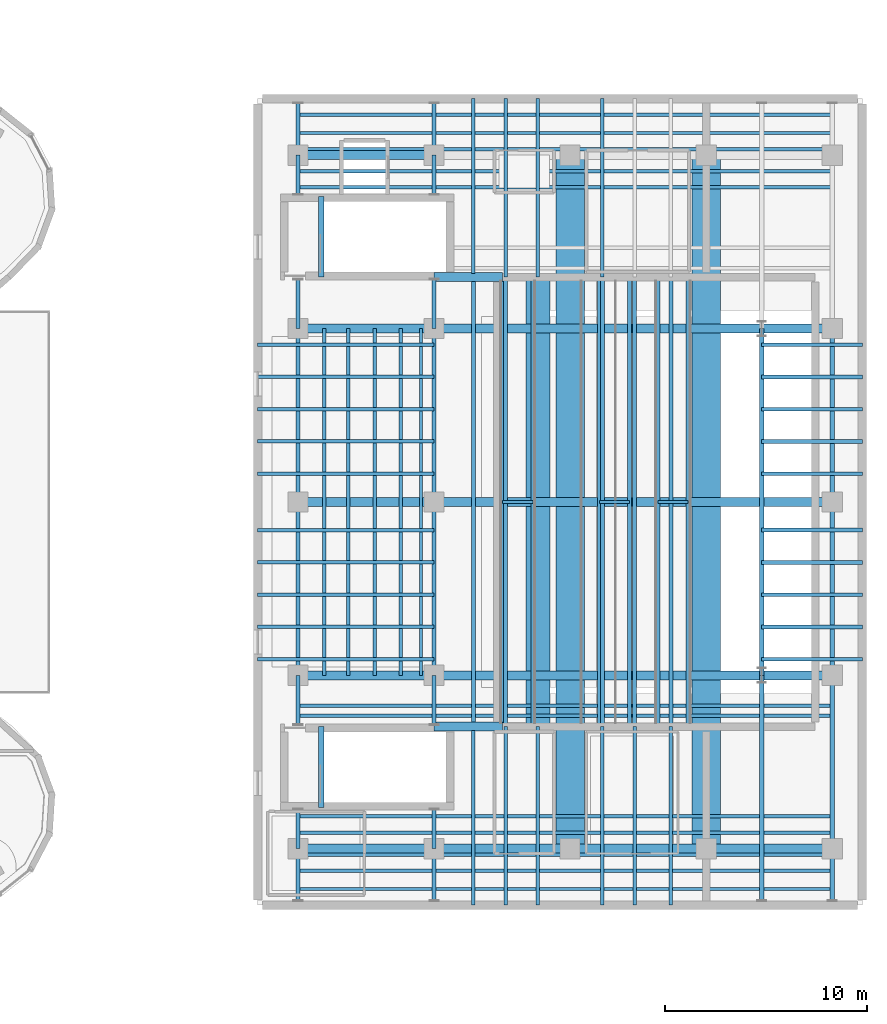
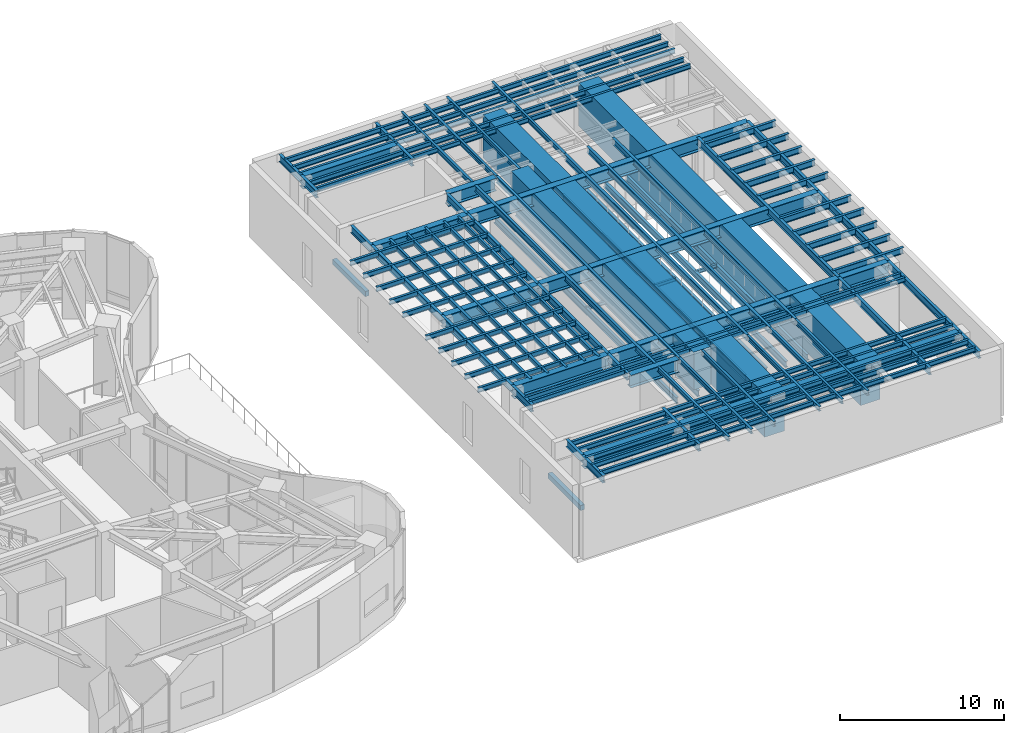
# One storey, part 8 of 19: 99 beams.
"""IFC4 building model written with IfcOpenShell, lengths in metres."""

from ifc_helpers import new_model, si_unit, direction, frame, origin, origin_2d, place, context, subcontext, project, spatial, rectangle, i_section, extrude, material, material_profile, profile_set, type_object, element, save


model = new_model("IFC4")

# Units and contexts
model_context = context("Model", 3, precision=1e-05, world=origin(), true_north=direction((0.0, 1.0)))
body_context = subcontext(model_context, "Body", "Model", "MODEL_VIEW")
ifc_project = project(units=[si_unit("LENGTHUNIT", "METRE"), si_unit("AREAUNIT", "SQUARE_METRE"), si_unit("VOLUMEUNIT", "CUBIC_METRE"), si_unit("PLANEANGLEUNIT", "RADIAN"), si_unit("MASSUNIT", "GRAM", prefix="KILO")], contexts=[model_context])

# Site, building, storey
site_placement = place(None, origin())
site = spatial("IfcSite", under=ifc_project, at=site_placement, CompositionType="ELEMENT")
building_placement = place(site_placement, origin())
building = spatial("IfcBuilding", under=site, at=building_placement, Name="Korentha Bioscience Tower", CompositionType="ELEMENT")
storey_placement = place(building_placement, frame((0.0, 0.0, 20.39990234375)))
storey = spatial("IfcBuildingStorey", under=building, at=storey_placement, Name="L04", CompositionType="ELEMENT", Elevation=20.39990234375)

# Beams
ifc_material_1 = material(Name="Concrete C50", Category="concrete")
ifc_material_profile_1 = material_profile(ifc_material_1, rectangle(XDim=0.280029296875, YDim=0.3798828125, at=origin_2d()), Name="Concrete C50")
ifc_profile_set_1 = profile_set([ifc_material_profile_1], Name="Concrete C50 (ST-HB380)")
beam_type_1 = type_object("IfcBeamType", Name="Concrete Stair Header Beam RC 280x380", PredefinedType="BEAM", material=ifc_profile_set_1)
for number, where, z_axis, x_axis, name in (
    (1, (67.64990234375, 11.85009765625, -0.18994140625), (0.0, 1.0, 0.0), (-1.0, 0.0, 0.0), "L04 ST-T1 Concrete Stair Header Beam"),
    (2, (67.64990234375, 38.14990234375, -0.18994140625), (0.0, 1.0, 0.0), (-1.0, 0.0, 0.0), "L04 ST-T2 Concrete Stair Header Beam"),
):
    element("IfcBeam", number, at=place(storey_placement, frame(where, z_axis=z_axis, x_axis=x_axis)), inside=storey, type_object=beam_type_1, Name=name, PredefinedType="BEAM", context=body_context, shape_type="SweptSolid", body=[
        extrude(rectangle(XDim=0.280029296875, YDim=0.3798828125, at=origin_2d()), origin(), (0.0, 0.0, 1.0), 4.0),
    ])
ifc_material_2 = material(Name="Steel S355", Category="steel")
ifc_material_profile_2 = material_profile(ifc_material_2, i_section(OverallWidth=0.14599609375, OverallDepth=0.258056640625, WebThickness=0.006103515625, FlangeThickness=0.009033203125, at=origin_2d()), Name="Steel S355")
ifc_profile_set_2 = profile_set([ifc_material_profile_2], Name="Steel S355 (GT-250)")
beam_type_2 = type_object("IfcBeamType", Name="Gallery Edge Trimmer Beam W250x32.7", PredefinedType="BEAM", material=ifc_profile_set_2)
for number, where, z_axis, x_axis, name in (
    (3, (76.64990234375, 27.0, 2.31103515625), (1.0, 0.0, 0.0), (0.0, 1.0, 0.0), "L04 Catwalk Cross Trimmer 1"),
    (4, (81.449951171875, 27.0, 2.31103515625), (1.0, 0.0, 0.0), (0.0, 1.0, 0.0), "L04 Catwalk Cross Trimmer 2"),
    (5, (84.35009765625, 27.0, 2.31103515625), (1.0, 0.0, 0.0), (0.0, 1.0, 0.0), "L04 Catwalk Cross Trimmer 3"),
):
    element("IfcBeam", number, at=place(storey_placement, frame(where, z_axis=z_axis, x_axis=x_axis)), inside=storey, type_object=beam_type_2, Name=name, PredefinedType="BEAM", context=body_context, shape_type="SweptSolid", body=[
        extrude(i_section(OverallWidth=0.14599609375, OverallDepth=0.258056640625, WebThickness=0.006103515625, FlangeThickness=0.009033203125, at=origin_2d()), origin(), (0.0, 0.0, 1.0), 1.5),
    ])
ifc_material_profile_3 = material_profile(ifc_material_2, i_section(OverallWidth=0.208984375, OverallDepth=0.532958984375, WebThickness=0.01025390625, FlangeThickness=0.015625, at=origin_2d()), Name="Steel S355")
ifc_profile_set_3 = profile_set([ifc_material_profile_3], Name="Steel S355 (SB-530)")
beam_type_3 = type_object("IfcBeamType", Name="Perimeter Ring Spandrel Girder W530x92", PredefinedType="SPANDREL", material=ifc_profile_set_3)
beam_1_placement = place(storey_placement, frame((66.5, 7.2099609375, 5.133544921875), z_axis=(0.0, 1.0, 0.0), x_axis=(-1.0, 0.0, 0.0)))
element("IfcBeam", 6, at=beam_1_placement, inside=storey, type_object=beam_type_3, Name="L04 Theatre Collector Girder 1-1", PredefinedType="SPANDREL", context=body_context, shape_type="SweptSolid", body=[
    extrude(i_section(OverallWidth=0.208984375, OverallDepth=0.532958984375, WebThickness=0.01025390625, FlangeThickness=0.015625, at=origin_2d()), origin(), (0.0, 0.0, 1.0), 2.590087890625),
])
beam_2_placement = place(storey_placement, frame((66.5, 9.800048828125, 5.133544921875), z_axis=(0.0, 1.0, 0.0), x_axis=(-1.0, 0.0, 0.0)))
element("IfcBeam", 7, at=beam_2_placement, inside=storey, type_object=beam_type_3, Name="L04 Theatre Collector Girder 1-2", PredefinedType="SPANDREL", context=body_context, shape_type="SweptSolid", body=[
    extrude(i_section(OverallWidth=0.208984375, OverallDepth=0.532958984375, WebThickness=0.01025390625, FlangeThickness=0.015625, at=origin_2d()), origin(), (0.0, 0.0, 1.0), 1.949951171875),
])
beam_3_placement = place(storey_placement, frame((66.5, 15.949951171875, 5.133544921875), z_axis=(0.0, 1.0, 0.0), x_axis=(-1.0, 0.0, 0.0)))
element("IfcBeam", 8, at=beam_3_placement, inside=storey, type_object=beam_type_3, Name="L04 Theatre Collector Girder 1-3", PredefinedType="SPANDREL", context=body_context, shape_type="SweptSolid", body=[
    extrude(i_section(OverallWidth=0.208984375, OverallDepth=0.532958984375, WebThickness=0.01025390625, FlangeThickness=0.015625, at=origin_2d()), origin(), (0.0, 0.0, 1.0), 2.449951171875),
])
for number, where, z_axis, x_axis, name in (
    (9, (66.5, 18.39990234375, 5.133544921875), (0.0, 1.0, 0.0), (-1.0, 0.0, 0.0), "L04 Theatre Collector Girder 1-4"),
    (10, (66.5, 27.0, 5.133544921875), (0.0, 1.0, 0.0), (-1.0, 0.0, 0.0), "L04 Theatre Collector Girder 1-5"),
):
    element("IfcBeam", number, at=place(storey_placement, frame(where, z_axis=z_axis, x_axis=x_axis)), inside=storey, type_object=beam_type_3, Name=name, PredefinedType="SPANDREL", context=body_context, shape_type="SweptSolid", body=[
        extrude(i_section(OverallWidth=0.208984375, OverallDepth=0.532958984375, WebThickness=0.01025390625, FlangeThickness=0.015625, at=origin_2d()), origin(), (0.0, 0.0, 1.0), 8.60009765625),
    ])
beam_4_placement = place(storey_placement, frame((66.5, 35.60009765625, 5.133544921875), z_axis=(0.0, 1.0, 0.0), x_axis=(-1.0, 0.0, 0.0)))
element("IfcBeam", 11, at=beam_4_placement, inside=storey, type_object=beam_type_3, Name="L04 Theatre Collector Girder 1-6", PredefinedType="SPANDREL", context=body_context, shape_type="SweptSolid", body=[
    extrude(i_section(OverallWidth=0.208984375, OverallDepth=0.532958984375, WebThickness=0.01025390625, FlangeThickness=0.015625, at=origin_2d()), origin(), (0.0, 0.0, 1.0), 2.449951171875),
])
beam_5_placement = place(storey_placement, frame((66.5, 42.25, 5.133544921875), z_axis=(0.0, 1.0, 0.0), x_axis=(-1.0, 0.0, 0.0)))
element("IfcBeam", 12, at=beam_5_placement, inside=storey, type_object=beam_type_3, Name="L04 Theatre Collector Girder 1-7", PredefinedType="SPANDREL", context=body_context, shape_type="SweptSolid", body=[
    extrude(i_section(OverallWidth=0.208984375, OverallDepth=0.532958984375, WebThickness=0.01025390625, FlangeThickness=0.015625, at=origin_2d()), origin(), (0.0, 0.0, 1.0), 1.949951171875),
])
for number, where, z_axis, x_axis, name in (
    (13, (66.5, 44.199951171875, 5.133544921875), (0.0, 1.0, 0.0), (-1.0, 0.0, 0.0), "L04 Theatre Collector Girder 1-8"),
    (14, (73.25, 7.2099609375, 5.133544921875), (0.0, 1.0, 0.0), (-1.0, 0.0, 0.0), "L04 Theatre Collector Girder 2-1"),
):
    element("IfcBeam", number, at=place(storey_placement, frame(where, z_axis=z_axis, x_axis=x_axis)), inside=storey, type_object=beam_type_3, Name=name, PredefinedType="SPANDREL", context=body_context, shape_type="SweptSolid", body=[
        extrude(i_section(OverallWidth=0.208984375, OverallDepth=0.532958984375, WebThickness=0.01025390625, FlangeThickness=0.015625, at=origin_2d()), origin(), (0.0, 0.0, 1.0), 2.590087890625),
    ])
beam_6_placement = place(storey_placement, frame((73.25, 9.800048828125, 5.133544921875), z_axis=(0.0, 1.0, 0.0), x_axis=(-1.0, 0.0, 0.0)))
element("IfcBeam", 15, at=beam_6_placement, inside=storey, type_object=beam_type_3, Name="L04 Theatre Collector Girder 2-2", PredefinedType="SPANDREL", context=body_context, shape_type="SweptSolid", body=[
    extrude(i_section(OverallWidth=0.208984375, OverallDepth=0.532958984375, WebThickness=0.01025390625, FlangeThickness=0.015625, at=origin_2d()), origin(), (0.0, 0.0, 1.0), 1.949951171875),
])
beam_7_placement = place(storey_placement, frame((73.25, 15.949951171875, 5.133544921875), z_axis=(0.0, 1.0, 0.0), x_axis=(-1.0, 0.0, 0.0)))
element("IfcBeam", 16, at=beam_7_placement, inside=storey, type_object=beam_type_3, Name="L04 Theatre Collector Girder 2-3", PredefinedType="SPANDREL", context=body_context, shape_type="SweptSolid", body=[
    extrude(i_section(OverallWidth=0.208984375, OverallDepth=0.532958984375, WebThickness=0.01025390625, FlangeThickness=0.015625, at=origin_2d()), origin(), (0.0, 0.0, 1.0), 2.449951171875),
])
for number, where, z_axis, x_axis, name in (
    (17, (73.25, 18.39990234375, 5.133544921875), (0.0, 1.0, 0.0), (-1.0, 0.0, 0.0), "L04 Theatre Collector Girder 2-4"),
    (18, (73.25, 27.0, 5.133544921875), (0.0, 1.0, 0.0), (-1.0, 0.0, 0.0), "L04 Theatre Collector Girder 2-5"),
):
    element("IfcBeam", number, at=place(storey_placement, frame(where, z_axis=z_axis, x_axis=x_axis)), inside=storey, type_object=beam_type_3, Name=name, PredefinedType="SPANDREL", context=body_context, shape_type="SweptSolid", body=[
        extrude(i_section(OverallWidth=0.208984375, OverallDepth=0.532958984375, WebThickness=0.01025390625, FlangeThickness=0.015625, at=origin_2d()), origin(), (0.0, 0.0, 1.0), 8.60009765625),
    ])
beam_8_placement = place(storey_placement, frame((73.25, 35.60009765625, 5.133544921875), z_axis=(0.0, 1.0, 0.0), x_axis=(-1.0, 0.0, 0.0)))
element("IfcBeam", 19, at=beam_8_placement, inside=storey, type_object=beam_type_3, Name="L04 Theatre Collector Girder 2-6", PredefinedType="SPANDREL", context=body_context, shape_type="SweptSolid", body=[
    extrude(i_section(OverallWidth=0.208984375, OverallDepth=0.532958984375, WebThickness=0.01025390625, FlangeThickness=0.015625, at=origin_2d()), origin(), (0.0, 0.0, 1.0), 2.449951171875),
])
beam_9_placement = place(storey_placement, frame((73.25, 42.25, 5.133544921875), z_axis=(0.0, 1.0, 0.0), x_axis=(-1.0, 0.0, 0.0)))
element("IfcBeam", 20, at=beam_9_placement, inside=storey, type_object=beam_type_3, Name="L04 Theatre Collector Girder 2-7", PredefinedType="SPANDREL", context=body_context, shape_type="SweptSolid", body=[
    extrude(i_section(OverallWidth=0.208984375, OverallDepth=0.532958984375, WebThickness=0.01025390625, FlangeThickness=0.015625, at=origin_2d()), origin(), (0.0, 0.0, 1.0), 1.949951171875),
])
beam_10_placement = place(storey_placement, frame((73.25, 44.199951171875, 5.133544921875), z_axis=(0.0, 1.0, 0.0), x_axis=(-1.0, 0.0, 0.0)))
element("IfcBeam", 21, at=beam_10_placement, inside=storey, type_object=beam_type_3, Name="L04 Theatre Collector Girder 2-8", PredefinedType="SPANDREL", context=body_context, shape_type="SweptSolid", body=[
    extrude(i_section(OverallWidth=0.208984375, OverallDepth=0.532958984375, WebThickness=0.01025390625, FlangeThickness=0.015625, at=origin_2d()), origin(), (0.0, 0.0, 1.0), 2.590087890625),
])
beam_11_placement = place(storey_placement, frame((89.5, 7.2099609375, 5.133544921875), z_axis=(0.0, 1.0, 0.0), x_axis=(-1.0, 0.0, 0.0)))
element("IfcBeam", 22, at=beam_11_placement, inside=storey, type_object=beam_type_3, Name="L04 Theatre Collector Girder 3-1", PredefinedType="SPANDREL", context=body_context, shape_type="SweptSolid", body=[
    extrude(i_section(OverallWidth=0.208984375, OverallDepth=0.532958984375, WebThickness=0.01025390625, FlangeThickness=0.015625, at=origin_2d()), origin(), (0.0, 0.0, 1.0), 11.18994140625),
])
beam_12_placement = place(storey_placement, frame((89.5, 18.39990234375, 5.133544921875), z_axis=(0.0, 1.0, 0.0), x_axis=(-1.0, 0.0, 0.0)))
element("IfcBeam", 23, at=beam_12_placement, inside=storey, type_object=beam_type_3, Name="L04 Theatre Collector Girder 3-2", PredefinedType="SPANDREL", context=body_context, shape_type="SweptSolid", body=[
    extrude(i_section(OverallWidth=0.208984375, OverallDepth=0.532958984375, WebThickness=0.01025390625, FlangeThickness=0.015625, at=origin_2d()), origin(), (0.0, 0.0, 1.0), 17.2001953125),
])
beam_13_placement = place(storey_placement, frame((93.0, 7.2099609375, 5.133544921875), z_axis=(0.0, 1.0, 0.0), x_axis=(-1.0, 0.0, 0.0)))
element("IfcBeam", 24, at=beam_13_placement, inside=storey, type_object=beam_type_3, Name="L04 Theatre Collector Girder 4-1", PredefinedType="SPANDREL", context=body_context, shape_type="SweptSolid", body=[
    extrude(i_section(OverallWidth=0.208984375, OverallDepth=0.532958984375, WebThickness=0.01025390625, FlangeThickness=0.015625, at=origin_2d()), origin(), (0.0, 0.0, 1.0), 2.590087890625),
])
beam_14_placement = place(storey_placement, frame((93.0, 9.800048828125, 5.133544921875), z_axis=(0.0, 1.0, 0.0), x_axis=(-1.0, 0.0, 0.0)))
element("IfcBeam", 25, at=beam_14_placement, inside=storey, type_object=beam_type_3, Name="L04 Theatre Collector Girder 4-2", PredefinedType="SPANDREL", context=body_context, shape_type="SweptSolid", body=[
    extrude(i_section(OverallWidth=0.208984375, OverallDepth=0.532958984375, WebThickness=0.01025390625, FlangeThickness=0.015625, at=origin_2d()), origin(), (0.0, 0.0, 1.0), 8.599853515625),
])
for number, where, z_axis, x_axis, name in (
    (26, (93.0, 18.39990234375, 5.133544921875), (0.0, 1.0, 0.0), (-1.0, 0.0, 0.0), "L04 Theatre Collector Girder 4-3"),
    (27, (93.0, 27.0, 5.133544921875), (0.0, 1.0, 0.0), (-1.0, 0.0, 0.0), "L04 Theatre Collector Girder 4-4"),
):
    element("IfcBeam", number, at=place(storey_placement, frame(where, z_axis=z_axis, x_axis=x_axis)), inside=storey, type_object=beam_type_3, Name=name, PredefinedType="SPANDREL", context=body_context, shape_type="SweptSolid", body=[
        extrude(i_section(OverallWidth=0.208984375, OverallDepth=0.532958984375, WebThickness=0.01025390625, FlangeThickness=0.015625, at=origin_2d()), origin(), (0.0, 0.0, 1.0), 8.60009765625),
    ])
ifc_material_3 = material(Name="Concrete C80", Category="concrete")
ifc_material_profile_4 = material_profile(ifc_material_3, rectangle(XDim=1.39990234375, YDim=3.199951171875, at=origin_2d()), Name="Concrete C80")
ifc_profile_set_4 = profile_set([ifc_material_profile_4], Name="Concrete C80 (TG-01)")
beam_type_4 = type_object("IfcBeamType", Name="Plaza Arch Transfer Girder 1400x3200", PredefinedType="USERDEFINED", material=ifc_profile_set_4)
for number, where, z_axis, x_axis, name in (
    (28, (80.0, 9.800048828125, 3.800048828125), (0.0, 1.0, 0.0), (-1.0, 0.0, 0.0), "L04 Auditorium Vault Transfer Girder 1"),
    (29, (86.75, 9.800048828125, 3.800048828125), (0.0, 1.0, 0.0), (-1.0, 0.0, 0.0), "L04 Auditorium Vault Transfer Girder 2"),
):
    element("IfcBeam", number, at=place(storey_placement, frame(where, z_axis=z_axis, x_axis=x_axis)), inside=storey, type_object=beam_type_4, Name=name, ObjectType="TRANSFER_GIRDER", PredefinedType="USERDEFINED", context=body_context, shape_type="SweptSolid", body=[
        extrude(rectangle(XDim=1.39990234375, YDim=3.199951171875, at=origin_2d()), origin(), (0.0, 0.0, 1.0), 34.39990234375),
    ])
ifc_material_profile_5 = material_profile(ifc_material_2, i_section(OverallWidth=0.18994140625, OverallDepth=0.45703125, WebThickness=0.009033203125, FlangeThickness=0.014404296875, at=origin_2d()), Name="Steel S355")
ifc_profile_set_5 = profile_set([ifc_material_profile_5], Name="Steel S355 (RB-460)")
beam_type_5 = type_object("IfcBeamType", Name="Radial Laboratory Beam W460x74", PredefinedType="BEAM", material=ifc_profile_set_5)
beam_15_placement = place(storey_placement, frame((75.199951171875, 16.0400390625, 5.171630859375), z_axis=(0.0, 1.0, 0.0), x_axis=(-1.0, 0.0, 0.0)))
element("IfcBeam", 30, at=beam_15_placement, inside=storey, type_object=beam_type_5, Name="L04 Auditorium Ceiling Deck Girder 06", PredefinedType="BEAM", context=body_context, shape_type="SweptSolid", body=[
    extrude(i_section(OverallWidth=0.18994140625, OverallDepth=0.45703125, WebThickness=0.009033203125, FlangeThickness=0.014404296875, at=origin_2d()), origin(), (0.0, 0.0, 1.0), 21.919921875),
])
for number, where, z_axis, x_axis, name in (
    (31, (76.800048828125, 15.85009765625, 5.171630859375), (0.0, 1.0, 0.0), (-1.0, 0.0, 0.0), "L04 Auditorium Ceiling Deck Girder 07"),
    (32, (81.60009765625, 15.85009765625, 5.171630859375), (0.0, 1.0, 0.0), (-1.0, 0.0, 0.0), "L04 Auditorium Ceiling Deck Girder 09"),
    (33, (83.199951171875, 15.85009765625, 5.171630859375), (0.0, 1.0, 0.0), (-1.0, 0.0, 0.0), "L04 Auditorium Ceiling Deck Girder 10"),
    (34, (85.0, 15.85009765625, 5.171630859375), (0.0, 1.0, 0.0), (-1.0, 0.0, 0.0), "L04 Auditorium Ceiling Deck Girder 11"),
):
    element("IfcBeam", number, at=place(storey_placement, frame(where, z_axis=z_axis, x_axis=x_axis)), inside=storey, type_object=beam_type_5, Name=name, PredefinedType="BEAM", context=body_context, shape_type="SweptSolid", body=[
        extrude(i_section(OverallWidth=0.18994140625, OverallDepth=0.45703125, WebThickness=0.009033203125, FlangeThickness=0.014404296875, at=origin_2d()), origin(), (0.0, 0.0, 1.0), 22.2998046875),
    ])
for number, where, z_axis, x_axis, name in (
    (35, (89.5, 19.199951171875, 5.171630859375), (1.0, 0.0, 0.0), (0.0, 1.0, 0.0), "L04 Stage Fly-Tower Girder 01"),
    (36, (89.5, 20.800048828125, 5.171630859375), (1.0, 0.0, 0.0), (0.0, 1.0, 0.0), "L04 Stage Fly-Tower Girder 02"),
    (37, (89.5, 22.39990234375, 5.171630859375), (1.0, 0.0, 0.0), (0.0, 1.0, 0.0), "L04 Stage Fly-Tower Girder 03"),
    (38, (89.5, 24.0, 5.171630859375), (1.0, 0.0, 0.0), (0.0, 1.0, 0.0), "L04 Stage Fly-Tower Girder 04"),
    (39, (89.5, 25.60009765625, 5.171630859375), (1.0, 0.0, 0.0), (0.0, 1.0, 0.0), "L04 Stage Fly-Tower Girder 05"),
    (40, (89.5, 28.39990234375, 5.171630859375), (1.0, 0.0, 0.0), (0.0, 1.0, 0.0), "L04 Stage Fly-Tower Girder 06"),
    (41, (89.5, 30.0, 5.171630859375), (1.0, 0.0, 0.0), (0.0, 1.0, 0.0), "L04 Stage Fly-Tower Girder 07"),
    (42, (89.5, 31.60009765625, 5.171630859375), (1.0, 0.0, 0.0), (0.0, 1.0, 0.0), "L04 Stage Fly-Tower Girder 08"),
    (43, (89.5, 33.199951171875, 5.171630859375), (1.0, 0.0, 0.0), (0.0, 1.0, 0.0), "L04 Stage Fly-Tower Girder 09"),
    (44, (89.5, 34.800048828125, 5.171630859375), (1.0, 0.0, 0.0), (0.0, 1.0, 0.0), "L04 Stage Fly-Tower Girder 10"),
):
    element("IfcBeam", number, at=place(storey_placement, frame(where, z_axis=z_axis, x_axis=x_axis)), inside=storey, type_object=beam_type_5, Name=name, PredefinedType="BEAM", context=body_context, shape_type="SweptSolid", body=[
        extrude(i_section(OverallWidth=0.18994140625, OverallDepth=0.45703125, WebThickness=0.009033203125, FlangeThickness=0.014404296875, at=origin_2d()), origin(), (0.0, 0.0, 1.0), 5.0),
    ])
for number, where, z_axis, x_axis, name in (
    (45, (76.64990234375, 15.85009765625, 2.211669921875), (0.0, 1.0, 0.0), (-1.0, 0.0, 0.0), "L04 Acoustic Catwalk Girder 1-W"),
    (46, (78.14990234375, 15.85009765625, 2.211669921875), (0.0, 1.0, 0.0), (-1.0, 0.0, 0.0), "L04 Acoustic Catwalk Girder 1-E"),
    (47, (81.449951171875, 15.85009765625, 2.211669921875), (0.0, 1.0, 0.0), (-1.0, 0.0, 0.0), "L04 Acoustic Catwalk Girder 2-W"),
    (48, (82.949951171875, 15.85009765625, 2.211669921875), (0.0, 1.0, 0.0), (-1.0, 0.0, 0.0), "L04 Acoustic Catwalk Girder 2-E"),
    (49, (84.35009765625, 15.85009765625, 2.211669921875), (0.0, 1.0, 0.0), (-1.0, 0.0, 0.0), "L04 Acoustic Catwalk Girder 3-W"),
    (50, (85.85009765625, 15.85009765625, 2.211669921875), (0.0, 1.0, 0.0), (-1.0, 0.0, 0.0), "L04 Acoustic Catwalk Girder 3-E"),
):
    element("IfcBeam", number, at=place(storey_placement, frame(where, z_axis=z_axis, x_axis=x_axis)), inside=storey, type_object=beam_type_5, Name=name, PredefinedType="BEAM", context=body_context, shape_type="SweptSolid", body=[
        extrude(i_section(OverallWidth=0.18994140625, OverallDepth=0.45703125, WebThickness=0.009033203125, FlangeThickness=0.014404296875, at=origin_2d()), origin(), (0.0, 0.0, 1.0), 22.2998046875),
    ])
ifc_material_profile_6 = material_profile(ifc_material_2, i_section(OverallWidth=0.1708984375, OverallDepth=0.35498046875, WebThickness=0.007080078125, FlangeThickness=0.01171875, at=origin_2d()), Name="Steel S355")
ifc_profile_set_6 = profile_set([ifc_material_profile_6], Name="Steel S355 (JB-360)")
beam_type_6 = type_object("IfcBeamType", Name="Secondary Laboratory Joist W360x51", PredefinedType="JOIST", material=ifc_profile_set_6)
for number, where, z_axis, x_axis, name in (
    (51, (66.5, 7.800048828125, 5.22265625), (1.0, 0.0, 0.0), (0.0, 1.0, 0.0), "L04 Theatre Wing Secondary Joist 01"),
    (52, (66.5, 8.699951171875, 5.22265625), (1.0, 0.0, 0.0), (0.0, 1.0, 0.0), "L04 Theatre Wing Secondary Joist 02"),
    (53, (66.5, 9.5, 5.22265625), (1.0, 0.0, 0.0), (0.0, 1.0, 0.0), "L04 Theatre Wing Secondary Joist 03"),
    (54, (66.5, 10.60009765625, 5.22265625), (1.0, 0.0, 0.0), (0.0, 1.0, 0.0), "L04 Theatre Wing Secondary Joist 04"),
    (55, (66.5, 11.39990234375, 5.22265625), (1.0, 0.0, 0.0), (0.0, 1.0, 0.0), "L04 Theatre Wing Secondary Joist 05"),
    (56, (66.5, 16.39990234375, 5.22265625), (1.0, 0.0, 0.0), (0.0, 1.0, 0.0), "L04 Theatre Wing Secondary Joist 06"),
    (57, (66.5, 16.89990234375, 5.22265625), (1.0, 0.0, 0.0), (0.0, 1.0, 0.0), "L04 Theatre Wing Secondary Joist 07"),
    (58, (66.5, 42.60009765625, 5.22265625), (1.0, 0.0, 0.0), (0.0, 1.0, 0.0), "L04 Theatre Wing Secondary Joist 10"),
    (59, (66.5, 43.39990234375, 5.22265625), (1.0, 0.0, 0.0), (0.0, 1.0, 0.0), "L04 Theatre Wing Secondary Joist 11"),
    (60, (66.5, 44.5, 5.22265625), (1.0, 0.0, 0.0), (0.0, 1.0, 0.0), "L04 Theatre Wing Secondary Joist 12"),
    (61, (66.5, 45.300048828125, 5.22265625), (1.0, 0.0, 0.0), (0.0, 1.0, 0.0), "L04 Theatre Wing Secondary Joist 13"),
    (62, (66.5, 46.199951171875, 5.22265625), (1.0, 0.0, 0.0), (0.0, 1.0, 0.0), "L04 Theatre Wing Secondary Joist 14"),
):
    element("IfcBeam", number, at=place(storey_placement, frame(where, z_axis=z_axis, x_axis=x_axis)), inside=storey, type_object=beam_type_6, Name=name, PredefinedType="JOIST", context=body_context, shape_type="SweptSolid", body=[
        extrude(i_section(OverallWidth=0.1708984375, OverallDepth=0.35498046875, WebThickness=0.007080078125, FlangeThickness=0.01171875, at=origin_2d()), origin(), (0.0, 0.0, 1.0), 26.5),
    ])
for number, where, z_axis, x_axis, name in (
    (63, (67.800048828125, 18.39990234375, 5.22265625), (0.0, 1.0, 0.0), (-1.0, 0.0, 0.0), "L04 Theatre Foyer Longitudinal Joist 01"),
    (64, (69.0, 18.39990234375, 5.22265625), (0.0, 1.0, 0.0), (-1.0, 0.0, 0.0), "L04 Theatre Foyer Longitudinal Joist 02"),
    (65, (70.300048828125, 18.39990234375, 5.22265625), (0.0, 1.0, 0.0), (-1.0, 0.0, 0.0), "L04 Theatre Foyer Longitudinal Joist 03"),
    (66, (71.60009765625, 18.39990234375, 5.22265625), (0.0, 1.0, 0.0), (-1.0, 0.0, 0.0), "L04 Theatre Foyer Longitudinal Joist 04"),
    (67, (72.60009765625, 18.39990234375, 5.22265625), (0.0, 1.0, 0.0), (-1.0, 0.0, 0.0), "L04 Theatre Foyer Longitudinal Joist 05"),
):
    element("IfcBeam", number, at=place(storey_placement, frame(where, z_axis=z_axis, x_axis=x_axis)), inside=storey, type_object=beam_type_6, Name=name, PredefinedType="JOIST", context=body_context, shape_type="SweptSolid", body=[
        extrude(i_section(OverallWidth=0.1708984375, OverallDepth=0.35498046875, WebThickness=0.007080078125, FlangeThickness=0.01171875, at=origin_2d()), origin(), (0.0, 0.0, 1.0), 17.2001953125),
    ])
for number, where, z_axis, x_axis, name in (
    (68, (75.199951171875, 7.0, 5.22265625), (0.0, 1.0, 0.0), (-1.0, 0.0, 0.0), "L04 South Wing Longitudinal Joist 06"),
    (69, (75.199951171875, 38.340087890625, 5.22265625), (0.0, 1.0, 0.0), (-1.0, 0.0, 0.0), "L04 North Wing Longitudinal Joist 06"),
):
    element("IfcBeam", number, at=place(storey_placement, frame(where, z_axis=z_axis, x_axis=x_axis)), inside=storey, type_object=beam_type_6, Name=name, PredefinedType="JOIST", context=body_context, shape_type="SweptSolid", body=[
        extrude(i_section(OverallWidth=0.1708984375, OverallDepth=0.35498046875, WebThickness=0.007080078125, FlangeThickness=0.01171875, at=origin_2d()), origin(), (0.0, 0.0, 1.0), 8.659912109375),
    ])
for number, where, z_axis, x_axis, name in (
    (70, (76.800048828125, 7.0, 5.22265625), (0.0, 1.0, 0.0), (-1.0, 0.0, 0.0), "L04 South Wing Longitudinal Joist 07"),
    (71, (76.800048828125, 38.14990234375, 5.22265625), (0.0, 1.0, 0.0), (-1.0, 0.0, 0.0), "L04 North Wing Longitudinal Joist 07"),
    (72, (78.39990234375, 7.0, 5.22265625), (0.0, 1.0, 0.0), (-1.0, 0.0, 0.0), "L04 South Wing Longitudinal Joist 08"),
    (73, (78.39990234375, 38.14990234375, 5.22265625), (0.0, 1.0, 0.0), (-1.0, 0.0, 0.0), "L04 North Wing Longitudinal Joist 08"),
    (74, (81.60009765625, 7.0, 5.22265625), (0.0, 1.0, 0.0), (-1.0, 0.0, 0.0), "L04 South Wing Longitudinal Joist 09"),
    (75, (81.60009765625, 38.14990234375, 5.22265625), (0.0, 1.0, 0.0), (-1.0, 0.0, 0.0), "L04 North Wing Longitudinal Joist 09"),
    (76, (83.199951171875, 7.0, 5.22265625), (0.0, 1.0, 0.0), (-1.0, 0.0, 0.0), "L04 South Wing Longitudinal Joist 10"),
    (77, (85.0, 7.0, 5.22265625), (0.0, 1.0, 0.0), (-1.0, 0.0, 0.0), "L04 South Wing Longitudinal Joist 11"),
):
    element("IfcBeam", number, at=place(storey_placement, frame(where, z_axis=z_axis, x_axis=x_axis)), inside=storey, type_object=beam_type_6, Name=name, PredefinedType="JOIST", context=body_context, shape_type="SweptSolid", body=[
        extrude(i_section(OverallWidth=0.1708984375, OverallDepth=0.35498046875, WebThickness=0.007080078125, FlangeThickness=0.01171875, at=origin_2d()), origin(), (0.0, 0.0, 1.0), 8.85009765625),
    ])
for number, where, z_axis, x_axis, name in (
    (78, (64.5, 19.199951171875, 5.22265625), (1.0, 0.0, 0.0), (0.0, 1.0, 0.0), "L04 Theatre Foyer Joist 01"),
    (79, (64.5, 20.800048828125, 5.22265625), (1.0, 0.0, 0.0), (0.0, 1.0, 0.0), "L04 Theatre Foyer Joist 02"),
    (80, (64.5, 22.39990234375, 5.22265625), (1.0, 0.0, 0.0), (0.0, 1.0, 0.0), "L04 Theatre Foyer Joist 03"),
    (81, (64.5, 24.0, 5.22265625), (1.0, 0.0, 0.0), (0.0, 1.0, 0.0), "L04 Theatre Foyer Joist 04"),
    (82, (64.5, 25.60009765625, 5.22265625), (1.0, 0.0, 0.0), (0.0, 1.0, 0.0), "L04 Theatre Foyer Joist 05"),
    (83, (64.5, 28.39990234375, 5.22265625), (1.0, 0.0, 0.0), (0.0, 1.0, 0.0), "L04 Theatre Foyer Joist 06"),
    (84, (64.5, 30.0, 5.22265625), (1.0, 0.0, 0.0), (0.0, 1.0, 0.0), "L04 Theatre Foyer Joist 07"),
    (85, (64.5, 31.60009765625, 5.22265625), (1.0, 0.0, 0.0), (0.0, 1.0, 0.0), "L04 Theatre Foyer Joist 08"),
    (86, (64.5, 33.199951171875, 5.22265625), (1.0, 0.0, 0.0), (0.0, 1.0, 0.0), "L04 Theatre Foyer Joist 09"),
    (87, (64.5, 34.800048828125, 5.22265625), (1.0, 0.0, 0.0), (0.0, 1.0, 0.0), "L04 Theatre Foyer Joist 10"),
):
    element("IfcBeam", number, at=place(storey_placement, frame(where, z_axis=z_axis, x_axis=x_axis)), inside=storey, type_object=beam_type_6, Name=name, PredefinedType="JOIST", context=body_context, shape_type="SweptSolid", body=[
        extrude(i_section(OverallWidth=0.1708984375, OverallDepth=0.35498046875, WebThickness=0.007080078125, FlangeThickness=0.01171875, at=origin_2d()), origin(), (0.0, 0.0, 1.0), 8.75),
    ])
ifc_material_profile_7 = material_profile(ifc_material_3, rectangle(XDim=1.199951171875, YDim=2.800048828125, at=origin_2d()), Name="Concrete C80")
ifc_profile_set_7 = profile_set([ifc_material_profile_7], Name="Concrete C80 (TG-02)")
beam_type_7 = type_object("IfcBeamType", Name="Setback Radial Transfer Girder 1200x2800", PredefinedType="USERDEFINED", material=ifc_profile_set_7)
beam_16_placement = place(storey_placement, frame((78.39990234375, 15.85009765625, 4.0), z_axis=(0.0, 1.0, 0.0), x_axis=(-1.0, 0.0, 0.0)))
element("IfcBeam", 88, at=beam_16_placement, inside=storey, type_object=beam_type_7, Name="L04 Auditorium Ceiling Deck Girder 08", ObjectType="TRANSFER_GIRDER", PredefinedType="USERDEFINED", context=body_context, shape_type="SweptSolid", body=[
    extrude(rectangle(XDim=1.199951171875, YDim=2.800048828125, at=origin_2d()), origin(), (0.0, 0.0, 1.0), 22.2998046875),
])
ifc_material_profile_8 = material_profile(ifc_material_2, i_section(OverallWidth=0.449951171875, OverallDepth=0.949951171875, WebThickness=0.02001953125, FlangeThickness=0.034912109375, at=origin_2d()), Name="Steel S355")
ifc_profile_set_8 = profile_set([ifc_material_profile_8], Name="Steel S355 (TB-950)")
beam_type_8 = type_object("IfcBeamType", Name="Theatre Primary Girder CVS 950x374", PredefinedType="BEAM", material=ifc_profile_set_8)
for number, where, z_axis, x_axis, name in (
    (89, (73.25, 15.85009765625, 4.925048828125), (1.0, 0.0, 0.0), (0.0, 1.0, 0.0), "L04 Theatre Corridor Header Girder S"),
    (90, (73.25, 38.14990234375, 4.925048828125), (1.0, 0.0, 0.0), (0.0, 1.0, 0.0), "L04 Theatre Corridor Header Girder N"),
):
    element("IfcBeam", number, at=place(storey_placement, frame(where, z_axis=z_axis, x_axis=x_axis)), inside=storey, type_object=beam_type_8, Name=name, PredefinedType="BEAM", context=body_context, shape_type="SweptSolid", body=[
        extrude(i_section(OverallWidth=0.449951171875, OverallDepth=0.949951171875, WebThickness=0.02001953125, FlangeThickness=0.034912109375, at=origin_2d()), origin(), (0.0, 0.0, 1.0), 3.39990234375),
    ])
beam_17_placement = place(storey_placement, frame((66.5, 9.800048828125, 4.925048828125), z_axis=(1.0, 0.0, 0.0), x_axis=(0.0, 1.0, 0.0)))
element("IfcBeam", 91, at=beam_17_placement, inside=storey, type_object=beam_type_8, Name="L04 Theatre Foyer Girder 1", PredefinedType="BEAM", context=body_context, shape_type="SweptSolid", body=[
    extrude(i_section(OverallWidth=0.449951171875, OverallDepth=0.949951171875, WebThickness=0.02001953125, FlangeThickness=0.034912109375, at=origin_2d()), origin(), (0.0, 0.0, 1.0), 6.75),
])
beam_18_placement = place(storey_placement, frame((73.25, 9.800048828125, 4.925048828125), z_axis=(1.0, 0.0, 0.0), x_axis=(0.0, 1.0, 0.0)))
element("IfcBeam", 92, at=beam_18_placement, inside=storey, type_object=beam_type_8, Name="L04 Theatre Long-Span Girder 1", PredefinedType="BEAM", context=body_context, shape_type="SweptSolid", body=[
    extrude(i_section(OverallWidth=0.449951171875, OverallDepth=0.949951171875, WebThickness=0.02001953125, FlangeThickness=0.034912109375, at=origin_2d()), origin(), (0.0, 0.0, 1.0), 19.75),
])
beam_19_placement = place(storey_placement, frame((66.5, 18.39990234375, 4.925048828125), z_axis=(1.0, 0.0, 0.0), x_axis=(0.0, 1.0, 0.0)))
element("IfcBeam", 93, at=beam_19_placement, inside=storey, type_object=beam_type_8, Name="L04 Theatre Foyer Girder 2", PredefinedType="BEAM", context=body_context, shape_type="SweptSolid", body=[
    extrude(i_section(OverallWidth=0.449951171875, OverallDepth=0.949951171875, WebThickness=0.02001953125, FlangeThickness=0.034912109375, at=origin_2d()), origin(), (0.0, 0.0, 1.0), 6.75),
])
beam_20_placement = place(storey_placement, frame((73.25, 18.39990234375, 4.925048828125), z_axis=(1.0, 0.0, 0.0), x_axis=(0.0, 1.0, 0.0)))
element("IfcBeam", 94, at=beam_20_placement, inside=storey, type_object=beam_type_8, Name="L04 Theatre Long-Span Girder 2", PredefinedType="BEAM", context=body_context, shape_type="SweptSolid", body=[
    extrude(i_section(OverallWidth=0.449951171875, OverallDepth=0.949951171875, WebThickness=0.02001953125, FlangeThickness=0.034912109375, at=origin_2d()), origin(), (0.0, 0.0, 1.0), 19.75),
])
beam_21_placement = place(storey_placement, frame((66.5, 27.0, 4.925048828125), z_axis=(1.0, 0.0, 0.0), x_axis=(0.0, 1.0, 0.0)))
element("IfcBeam", 95, at=beam_21_placement, inside=storey, type_object=beam_type_8, Name="L04 Theatre Foyer Girder 3", PredefinedType="BEAM", context=body_context, shape_type="SweptSolid", body=[
    extrude(i_section(OverallWidth=0.449951171875, OverallDepth=0.949951171875, WebThickness=0.02001953125, FlangeThickness=0.034912109375, at=origin_2d()), origin(), (0.0, 0.0, 1.0), 6.75),
])
beam_22_placement = place(storey_placement, frame((73.25, 27.0, 4.925048828125), z_axis=(1.0, 0.0, 0.0), x_axis=(0.0, 1.0, 0.0)))
element("IfcBeam", 96, at=beam_22_placement, inside=storey, type_object=beam_type_8, Name="L04 Theatre Long-Span Girder 3", PredefinedType="BEAM", context=body_context, shape_type="SweptSolid", body=[
    extrude(i_section(OverallWidth=0.449951171875, OverallDepth=0.949951171875, WebThickness=0.02001953125, FlangeThickness=0.034912109375, at=origin_2d()), origin(), (0.0, 0.0, 1.0), 19.75),
])
beam_23_placement = place(storey_placement, frame((66.5, 35.60009765625, 4.925048828125), z_axis=(1.0, 0.0, 0.0), x_axis=(0.0, 1.0, 0.0)))
element("IfcBeam", 97, at=beam_23_placement, inside=storey, type_object=beam_type_8, Name="L04 Theatre Foyer Girder 4", PredefinedType="BEAM", context=body_context, shape_type="SweptSolid", body=[
    extrude(i_section(OverallWidth=0.449951171875, OverallDepth=0.949951171875, WebThickness=0.02001953125, FlangeThickness=0.034912109375, at=origin_2d()), origin(), (0.0, 0.0, 1.0), 6.75),
])
beam_24_placement = place(storey_placement, frame((73.25, 35.60009765625, 4.925048828125), z_axis=(1.0, 0.0, 0.0), x_axis=(0.0, 1.0, 0.0)))
element("IfcBeam", 98, at=beam_24_placement, inside=storey, type_object=beam_type_8, Name="L04 Theatre Long-Span Girder 4", PredefinedType="BEAM", context=body_context, shape_type="SweptSolid", body=[
    extrude(i_section(OverallWidth=0.449951171875, OverallDepth=0.949951171875, WebThickness=0.02001953125, FlangeThickness=0.034912109375, at=origin_2d()), origin(), (0.0, 0.0, 1.0), 19.75),
])
beam_25_placement = place(storey_placement, frame((66.5, 44.199951171875, 4.925048828125), z_axis=(1.0, 0.0, 0.0), x_axis=(0.0, 1.0, 0.0)))
element("IfcBeam", 99, at=beam_25_placement, inside=storey, type_object=beam_type_8, Name="L04 Theatre Foyer Girder 5", PredefinedType="BEAM", context=body_context, shape_type="SweptSolid", body=[
    extrude(i_section(OverallWidth=0.449951171875, OverallDepth=0.949951171875, WebThickness=0.02001953125, FlangeThickness=0.034912109375, at=origin_2d()), origin(), (0.0, 0.0, 1.0), 6.75),
])

save(model, "model.ifc")
